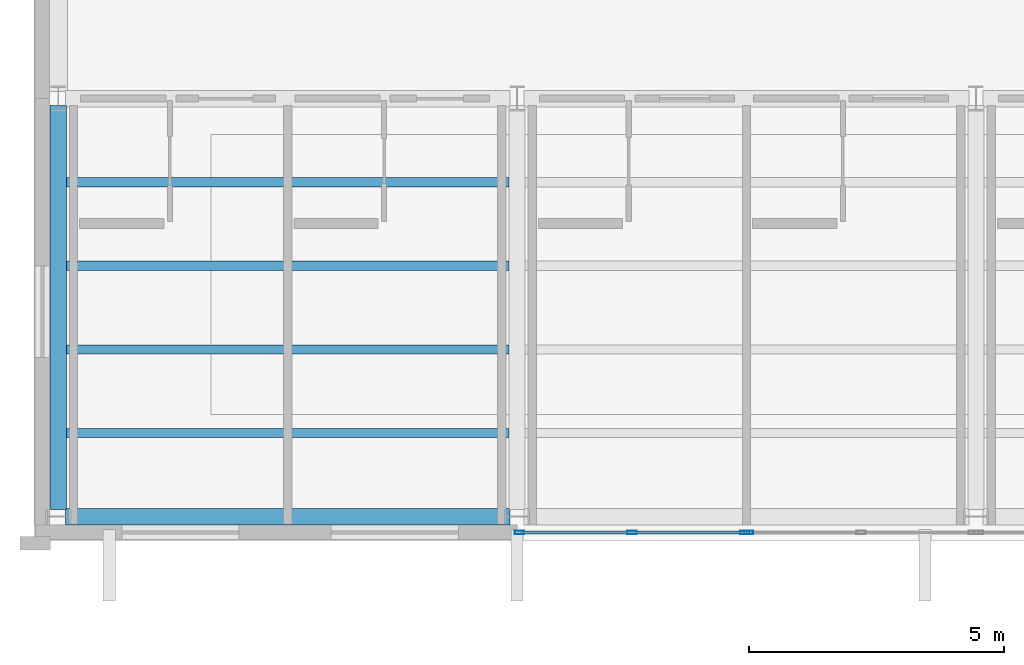
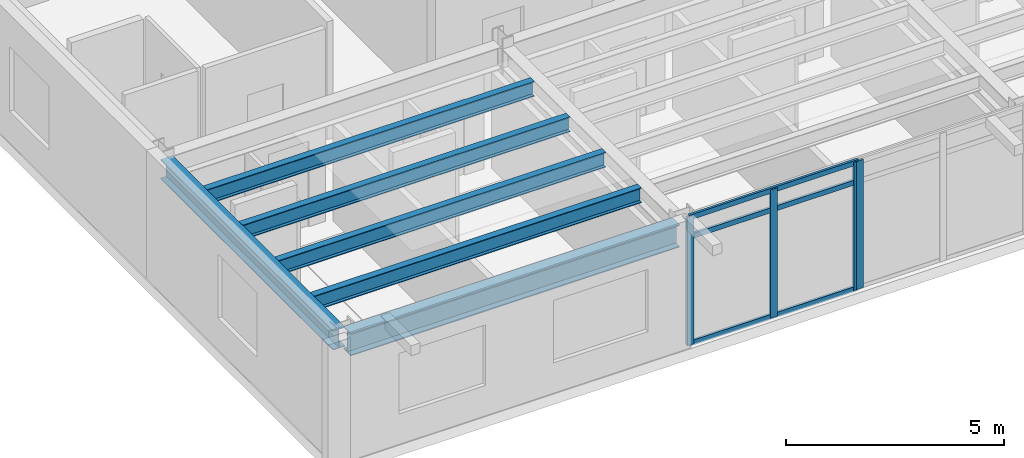
# One storey, part 4 of 19: 7 members, 6 beams, 2 elements without a shape of their own.
"""IFC4 building model written with IfcOpenShell, lengths in metres."""

from ifc_helpers import new_model, si_unit, direction, frame, origin, origin_2d, place, context, subcontext, project, spatial, hollow_rectangle, i_section, extrude, material, layer, layer_set, material_profile, profile_set, type_object, element, aggregate, save


model = new_model("IFC4")

# Units and contexts
model_context = context("Model", 3, precision=1e-05, world=origin(), true_north=direction((0.0, 1.0)))
body_context = subcontext(model_context, "Body", "Model", "MODEL_VIEW")
ifc_project = project(units=[si_unit("LENGTHUNIT", "METRE"), si_unit("AREAUNIT", "SQUARE_METRE"), si_unit("VOLUMEUNIT", "CUBIC_METRE"), si_unit("PLANEANGLEUNIT", "RADIAN"), si_unit("MASSUNIT", "GRAM", prefix="KILO")], contexts=[model_context])

# Site, building, storey
site_placement = place(None, origin())
site = spatial("IfcSite", under=ifc_project, at=site_placement, CompositionType="ELEMENT")
building_placement = place(site_placement, origin())
building = spatial("IfcBuilding", under=site, at=building_placement, Name="Sollismere Congress Hotel", CompositionType="ELEMENT")
storey_placement = place(building_placement, frame((0.0, 0.0, 44.60009765625)))
storey = spatial("IfcBuildingStorey", under=building, at=storey_placement, Name="L11", CompositionType="ELEMENT", Elevation=44.60009765625)

# Beams
ifc_material_1 = material(Name="Steel ASTM A992 Grade 50", Category="steel")
ifc_material_profile_1 = material_profile(ifc_material_1, i_section(OverallWidth=0.31494140625, OverallDepth=0.551025390625, WebThickness=0.01513671875, FlangeThickness=0.0244140625, at=origin_2d()), Name="W21X122")
ifc_profile_set_1 = profile_set([ifc_material_profile_1], Name="Steel ASTM A992 Grade 50")
beam_type_1 = type_object("IfcBeamType", Name="BM-G21H", PredefinedType="BEAM", material=ifc_profile_set_1)
beam_1_placement = place(storey_placement, frame((85.0, 0.139892578125, 3.04931640625), z_axis=(0.0, 1.0, 0.0), x_axis=(-1.0, 0.0, 0.0)))
element("IfcBeam", 1, at=beam_1_placement, inside=storey, type_object=beam_type_1, Name="Beam BM-L11-3762", PredefinedType="BEAM", context=body_context, shape_type="SweptSolid", body=[
    extrude(i_section(OverallWidth=0.31494140625, OverallDepth=0.551025390625, WebThickness=0.01513671875, FlangeThickness=0.0244140625, at=origin_2d()), origin(), (0.0, 0.0, 1.0), 7.920166015625),
])
ifc_material_profile_2 = material_profile(ifc_material_1, i_section(OverallWidth=0.180908203125, OverallDepth=0.4169921875, WebThickness=0.010986328125, FlangeThickness=0.018310546875, at=origin_2d()), Name="W16X57")
ifc_profile_set_2 = profile_set([ifc_material_profile_2], Name="Steel ASTM A992 Grade 50")
beam_type_2 = type_object("IfcBeamType", Name="BM-J16", PredefinedType="JOIST", material=ifc_profile_set_2)
for number, where, z_axis, x_axis, name in (
    (2, (85.157470703125, 1.639892578125, 3.116455078125), (1.0, 0.0, 0.0), (0.0, 1.0, 0.0), "Beam BM-L11-3783"),
    (3, (85.157470703125, 3.280029296875, 3.116455078125), (1.0, 0.0, 0.0), (0.0, 1.0, 0.0), "Beam BM-L11-3784"),
    (4, (85.157470703125, 4.919921875, 3.116455078125), (1.0, 0.0, 0.0), (0.0, 1.0, 0.0), "Beam BM-L11-3785"),
    (5, (85.157470703125, 6.56005859375, 3.116455078125), (1.0, 0.0, 0.0), (0.0, 1.0, 0.0), "Beam BM-L11-3786"),
):
    element("IfcBeam", number, at=place(storey_placement, frame(where, z_axis=z_axis, x_axis=x_axis)), inside=storey, type_object=beam_type_2, Name=name, PredefinedType="JOIST", context=body_context, shape_type="SweptSolid", body=[
        extrude(i_section(OverallWidth=0.180908203125, OverallDepth=0.4169921875, WebThickness=0.010986328125, FlangeThickness=0.018310546875, at=origin_2d()), origin(), (0.0, 0.0, 1.0), 8.68505859375),
    ])
ifc_material_profile_3 = material_profile(ifc_material_1, i_section(OverallWidth=0.330078125, OverallDepth=0.635009765625, WebThickness=0.017822265625, FlangeThickness=0.031005859375, at=origin_2d()), Name="W24X162")
ifc_profile_set_3 = profile_set([ifc_material_profile_3], Name="Steel ASTM A992 Grade 50")
beam_type_3 = type_object("IfcBeamType", Name="BM-SP24E", PredefinedType="SPANDREL", material=ifc_profile_set_3)
beam_2_placement = place(storey_placement, frame((85.139892578125, 0.0, 3.00732421875), z_axis=(1.0, 0.0, 0.0), x_axis=(0.0, 1.0, 0.0)))
element("IfcBeam", 6, at=beam_2_placement, inside=storey, type_object=beam_type_3, Name="Beam BM-L11-3740", PredefinedType="SPANDREL", context=body_context, shape_type="SweptSolid", body=[
    extrude(i_section(OverallWidth=0.330078125, OverallDepth=0.635009765625, WebThickness=0.017822265625, FlangeThickness=0.031005859375, at=origin_2d()), origin(), (0.0, 0.0, 1.0), 8.72021484375),
])

# Curtain wall, members
ifc_material_2 = material(Name="Anodized Bronze Curtain Wall & Low-E Triple Glazing", Category="glass")
ifc_layer = layer(ifc_material_2, 0.199951171875, Name="Anodized Bronze Curtain Wall & Low-E Triple Glazing")
ifc_layer_set = layer_set([ifc_layer], Name="Anodized Bronze Curtain Wall & Low-E Triple Glazing")
curtain_wall_type = type_object("IfcCurtainWallType", Name="CW-GLZ36", PredefinedType="USERDEFINED", material=ifc_layer_set)
curtain_wall_1_placement = place(storey_placement, origin())
curtain_wall_1 = element("IfcCurtainWall", 7, at=curtain_wall_1_placement, inside=storey, type_object=curtain_wall_type, Name="Unitised curtain wall CW-L11-159", ObjectType="UNITISED CURTAIN WALL", PredefinedType="USERDEFINED")
ifc_material_3 = material(Name="Anodized Aluminum 6063-T6", Category="aluminium")
ifc_material_profile_4 = material_profile(ifc_material_3, hollow_rectangle(XDim=0.074951171875, YDim=0.179931640625, WallThickness=0.0048828125, at=origin_2d()), Name="ALU180X75X5")
ifc_profile_set_4 = profile_set([ifc_material_profile_4], Name="Anodized Aluminum 6063-T6")
member_type_1 = type_object("IfcMemberType", Name="ML-CW180", PredefinedType="MULLION", material=ifc_profile_set_4)
member_1_placement = place(storey_placement, frame((94.048095703125, -0.31005859375, 0.0), z_axis=(0.0, 0.0, 1.0), x_axis=(0.0, 1.0, 0.0)))
member_1 = element("IfcMember", 8, at=member_1_placement, type_object=member_type_1, Name="CWL-CW-L11-159-ML01", PredefinedType="MULLION", context=body_context, shape_type="SweptSolid", body=[
    extrude(hollow_rectangle(XDim=0.074951171875, YDim=0.179931640625, WallThickness=0.0048828125, at=origin_2d()), origin(), (0.0, 0.0, 1.0), 3.599853515625),
])
member_2_placement = place(storey_placement, frame((96.2548828125, -0.31005859375, 0.0), z_axis=(0.0, 0.0, 1.0), x_axis=(0.0, 1.0, 0.0)))
member_2 = element("IfcMember", 9, at=member_2_placement, type_object=member_type_1, Name="CWL-CW-L11-159-ML02", PredefinedType="MULLION", context=body_context, shape_type="SweptSolid", body=[
    extrude(hollow_rectangle(XDim=0.074951171875, YDim=0.179931640625, WallThickness=0.0048828125, at=origin_2d()), origin(), (0.0, 0.0, 1.0), 3.599853515625),
])
member_3_placement = place(storey_placement, frame((98.4619140625, -0.31005859375, 0.0), z_axis=(0.0, 0.0, 1.0), x_axis=(0.0, 1.0, 0.0)))
member_3 = element("IfcMember", 10, at=member_3_placement, type_object=member_type_1, Name="CWL-CW-L11-159-ML03", PredefinedType="MULLION", context=body_context, shape_type="SweptSolid", body=[
    extrude(hollow_rectangle(XDim=0.074951171875, YDim=0.179931640625, WallThickness=0.0048828125, at=origin_2d()), origin(), (0.0, 0.0, 1.0), 3.599853515625),
])

# Curtain wall, member
curtain_wall_2_placement = place(storey_placement, origin())
curtain_wall_2 = element("IfcCurtainWall", 11, at=curtain_wall_2_placement, inside=storey, type_object=curtain_wall_type, Name="Unitised curtain wall CW-L11-160", ObjectType="UNITISED CURTAIN WALL", PredefinedType="USERDEFINED")
member_4_placement = place(storey_placement, frame((98.5380859375, -0.31005859375, 0.0), z_axis=(0.0, 0.0, 1.0), x_axis=(0.0, 1.0, 0.0)))
member_4 = element("IfcMember", 12, at=member_4_placement, type_object=member_type_1, Name="CWL-CW-L11-160-ML01", PredefinedType="MULLION", context=body_context, shape_type="SweptSolid", body=[
    extrude(hollow_rectangle(XDim=0.074951171875, YDim=0.179931640625, WallThickness=0.0048828125, at=origin_2d()), origin(), (0.0, 0.0, 1.0), 3.599853515625),
])
aggregate(curtain_wall_2, [member_4])

# Member
ifc_material_profile_5 = material_profile(ifc_material_3, hollow_rectangle(XDim=0.06494140625, YDim=0.139892578125, WallThickness=0.00390625, at=origin_2d()), Name="ALU140X65X4")
ifc_profile_set_5 = profile_set([ifc_material_profile_5], Name="Anodized Aluminum 6063-T6")
member_type_2 = type_object("IfcMemberType", Name="TR-CW150", PredefinedType="MEMBER", material=ifc_profile_set_5)
member_5_placement = place(storey_placement, frame((94.010009765625, -0.31005859375, 0.032470703125), z_axis=(1.0, 0.0, 0.0), x_axis=(0.0, 1.0, 0.0)))
member_5 = element("IfcMember", 13, at=member_5_placement, type_object=member_type_2, Name="CWL-CW-L11-159-TR1", PredefinedType="MEMBER", context=body_context, shape_type="SweptSolid", body=[
    extrude(hollow_rectangle(XDim=0.06494140625, YDim=0.139892578125, WallThickness=0.00390625, at=origin_2d()), origin(), (0.0, 0.0, 1.0), 4.489990234375),
])

member_6_placement = place(storey_placement, frame((94.010009765625, -0.31005859375, 3.02392578125), z_axis=(1.0, 0.0, 0.0), x_axis=(0.0, 1.0, 0.0)))
member_6 = element("IfcMember", 14, at=member_6_placement, type_object=member_type_2, Name="CWL-CW-L11-159-TR2", PredefinedType="MEMBER", context=body_context, shape_type="SweptSolid", body=[
    extrude(hollow_rectangle(XDim=0.06494140625, YDim=0.139892578125, WallThickness=0.00390625, at=origin_2d()), origin(), (0.0, 0.0, 1.0), 4.489990234375),
])

member_7_placement = place(storey_placement, frame((94.010009765625, -0.31005859375, 3.5673828125), z_axis=(1.0, 0.0, 0.0), x_axis=(0.0, 1.0, 0.0)))
member_7 = element("IfcMember", 15, at=member_7_placement, type_object=member_type_2, Name="CWL-CW-L11-159-TR3", PredefinedType="MEMBER", context=body_context, shape_type="SweptSolid", body=[
    extrude(hollow_rectangle(XDim=0.06494140625, YDim=0.139892578125, WallThickness=0.00390625, at=origin_2d()), origin(), (0.0, 0.0, 1.0), 4.489990234375),
])

aggregate(curtain_wall_1, [member_1, member_2, member_3, member_5, member_6, member_7])

save(model, "model.ifc")
